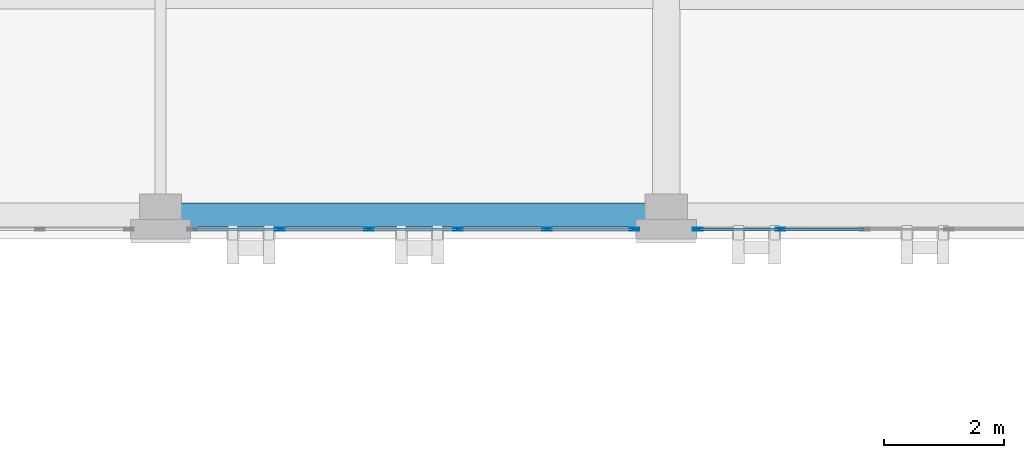
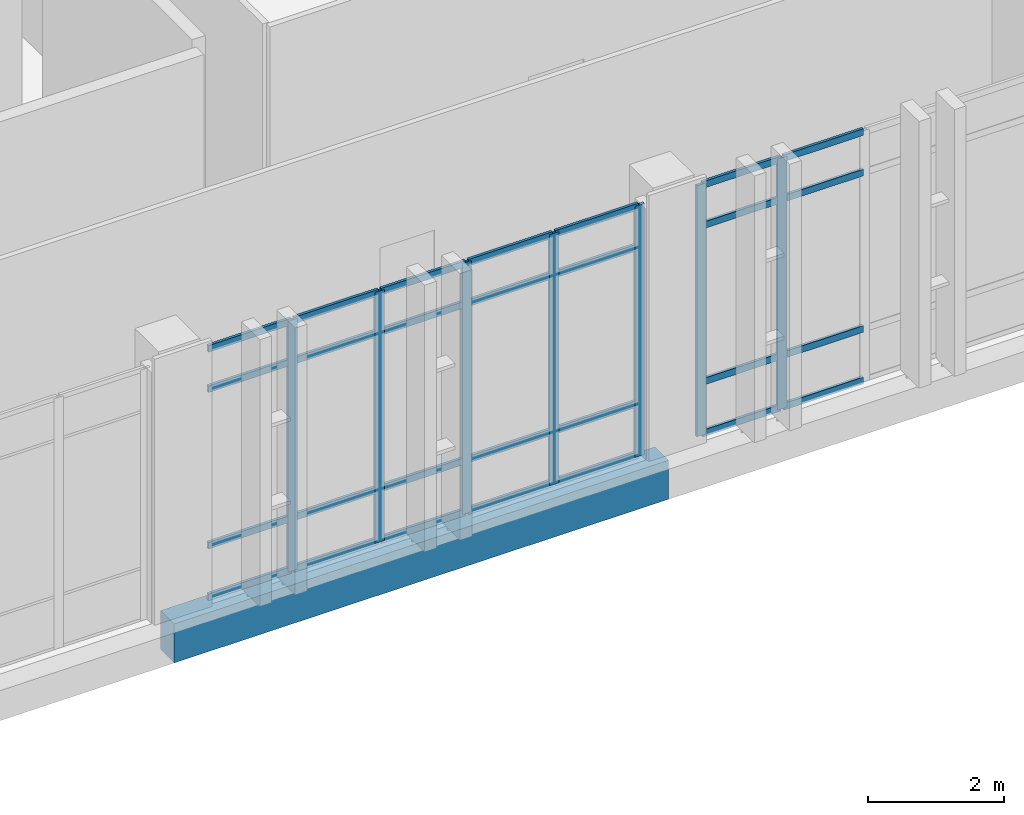
# One storey, part 82 of 189: 35 members, 1 beam, 2 elements without a shape of their own.
"""IFC4 building model written with IfcOpenShell, lengths in metres."""

import ifcopenshell
import ifcopenshell.guid

model = None  # the IFC model being written
_history = None  # IfcOwnerHistory: only IFC2X3 demands one
_inside = {}  # id of a spatial element -> (the spatial element, [elements in it])
_under = {}  # id of a project, library or spatial element -> (it, [spatial elements below it])
_declared = {}  # id of a project -> (the project, [libraries it declares])
_typed = {}  # id of a type object -> (the type object, [elements of that type])
_made_of = {}  # id of a material, layer set ... -> (it, [elements and type objects made of it])


def new_model(schema):
    """Start an empty IFC model of exactly this schema.

    Asked for "IFC4X3", IfcOpenShell would pick the latest addendum, in which some entities
    have other attributes; the version numbers below select the first issue.
    IFC2X3 requires an IfcOwnerHistory on every rooted entity: one is made here for all.
    """
    global model, _history
    if schema == "IFC4X3":
        model = ifcopenshell.file(schema_version=(4, 3, 0, 0))
    else:
        model = ifcopenshell.file(schema=schema)
    _inside.clear()
    _under.clear()
    _declared.clear()
    _typed.clear()
    _made_of.clear()
    _history = None
    if model.schema == "IFC2X3":
        org = make("IfcOrganization", Name="unknown")
        user = make(
            "IfcPersonAndOrganization",
            ThePerson=make("IfcPerson", FamilyName="unknown"),
            TheOrganization=org,
        )
        app = make(
            "IfcApplication",
            ApplicationDeveloper=org,
            Version="unknown",
            ApplicationFullName="unknown",
            ApplicationIdentifier="unknown",
        )
        _history = make(
            "IfcOwnerHistory",
            OwningUser=user,
            OwningApplication=app,
            ChangeAction="ADDED",
            CreationDate=0,
        )
    return model


def make(cls, **values):
    """One entity of the class cls with the attributes given. An attribute that is None is left unset."""
    return model.create_entity(
        cls, **{name: value for name, value in values.items() if value is not None}
    )


def rooted(cls, **values):
    """An entity with a GlobalId (a new one), such as an element, a storey or a relation."""
    return make(cls, GlobalId=ifcopenshell.guid.new(), OwnerHistory=_history, **values)


def si_unit(unit_type, name, prefix=None):
    """IfcSIUnit, for example si_unit("LENGTHUNIT", "METRE", prefix="MILLI")."""
    return make("IfcSIUnit", UnitType=unit_type, Prefix=prefix, Name=name)


def assignment(units):
    """IfcUnitAssignment: the units of a project."""
    return None if units is None else make("IfcUnitAssignment", Units=units)


def point(xyz):
    """IfcCartesianPoint."""
    return None if xyz is None else make("IfcCartesianPoint", Coordinates=xyz)


def direction(xyz):
    """IfcDirection."""
    return None if xyz is None else make("IfcDirection", DirectionRatios=xyz)


def frame(location, z_axis=None, x_axis=None):
    """IfcAxis2Placement3D, a coordinate frame: its origin and axes. An axis left out is left unset."""
    return make(
        "IfcAxis2Placement3D",
        Location=point(location),
        Axis=direction(z_axis),
        RefDirection=direction(x_axis),
    )


def frame_2d(location, x_axis=None):
    """IfcAxis2Placement2D, a coordinate frame in the plane: its origin and x axis."""
    return make(
        "IfcAxis2Placement2D", Location=point(location), RefDirection=direction(x_axis)
    )


def origin():
    """The frame at (0, 0, 0) with its axes left unset."""
    return frame((0.0, 0.0, 0.0))


def origin_2d():
    """The frame at (0, 0) in the plane with its x axis left unset."""
    return frame_2d((0.0, 0.0))


def place(relative_to, where):
    """IfcLocalPlacement: puts the frame where relative to a parent placement (None: the world)."""
    return make(
        "IfcLocalPlacement", PlacementRelTo=relative_to, RelativePlacement=where
    )


def context(
    kind, dimensions, precision=None, world=None, true_north=None, identifier=None
):
    """IfcGeometricRepresentationContext, for example the 3D "Model" context."""
    return make(
        "IfcGeometricRepresentationContext",
        ContextIdentifier=identifier,
        ContextType=kind,
        CoordinateSpaceDimension=dimensions,
        Precision=precision,
        WorldCoordinateSystem=world,
        TrueNorth=true_north,
    )


def subcontext(parent, identifier, kind, view, scale=None):
    """IfcGeometricRepresentationSubContext, for example "Body" below "Model"."""
    return make(
        "IfcGeometricRepresentationSubContext",
        ContextIdentifier=identifier,
        ContextType=kind,
        ParentContext=parent,
        TargetScale=scale,
        TargetView=view,
    )


def project(units=None, contexts=None):
    """IfcProject with its units and contexts."""
    return rooted(
        "IfcProject",
        Name="project",
        RepresentationContexts=contexts,
        UnitsInContext=assignment(units),
    )


def spatial(cls, under=None, at=None, **own):
    """A site, building, storey or space (cls), placed at a placement, below another one or the project."""
    s = rooted(cls, ObjectPlacement=at, **own)
    if under is not None:
        _under.setdefault(under.id(), (under, []))[1].append(s)
    return s


def profile(cls, at=None, kind="AREA", **sizes):
    """A parametric profile (cls). Its sizes go by their IFC names, for example OverallWidth=200.0."""
    return make(cls, ProfileType=kind, Position=at, **sizes)


def rectangle(**sizes):
    """IfcRectangleProfileDef."""
    return profile("IfcRectangleProfileDef", **sizes)


def hollow_rectangle(**sizes):
    """IfcRectangleHollowProfileDef."""
    return profile("IfcRectangleHollowProfileDef", **sizes)


def extrude(swept, where, along, depth):
    """IfcExtrudedAreaSolid: the profile swept, set in the frame where, extruded along a direction by depth."""
    return make(
        "IfcExtrudedAreaSolid",
        SweptArea=swept,
        Position=where,
        ExtrudedDirection=direction(along),
        Depth=depth,
    )


def shape(context_of_items, identifier, shape_type, items):
    """IfcShapeRepresentation: the items that make up one representation, for example the "Body"."""
    return make(
        "IfcShapeRepresentation",
        ContextOfItems=context_of_items,
        RepresentationIdentifier=identifier,
        RepresentationType=shape_type,
        Items=items,
    )


def material(Name=None, Category=None):
    """IfcMaterial."""
    return make("IfcMaterial", Name=Name, Category=Category)


def layer(
    of_material, thickness, ventilated=None, Name=None, Category=None, Priority=None
):
    """IfcMaterialLayer: one layer of a wall or slab, of a material (None: an air gap)."""
    return make(
        "IfcMaterialLayer",
        Material=of_material,
        LayerThickness=thickness,
        IsVentilated=ventilated,
        Name=Name,
        Category=Category,
        Priority=Priority,
    )


def layer_set(layers, Name=None):
    """IfcMaterialLayerSet."""
    return make("IfcMaterialLayerSet", MaterialLayers=layers, LayerSetName=Name)


def material_profile(
    of_material, cross_section, Name=None, Category=None, Priority=None
):
    """IfcMaterialProfile: a cross section and its material."""
    return make(
        "IfcMaterialProfile",
        Name=Name,
        Material=of_material,
        Profile=cross_section,
        Priority=Priority,
        Category=Category,
    )


def profile_set(profiles, Name=None, composite=None):
    """IfcMaterialProfileSet."""
    return make(
        "IfcMaterialProfileSet",
        Name=Name,
        MaterialProfiles=profiles,
        CompositeProfile=composite,
    )


def made_of(thing, what):
    """Note that an element or type object is made of a material, layer set ...; save() writes the relation."""
    if what is not None:
        _made_of.setdefault(what.id(), (what, []))[1].append(thing)
    return thing


def type_object(cls, material=None, **own):
    """A type object (cls), such as IfcWallType, which elements share."""
    return made_of(rooted(cls, **own), material)


def element(
    cls,
    number,
    at=None,
    inside=None,
    cuts=None,
    type_object=None,
    material=None,
    context=None,
    identifier="Body",
    shape_type=None,
    held_by="IfcProductDefinitionShape",
    body=None,
    shapes=None,
    **own,
):
    """One element of the class cls, such as IfcWall. Its Tag is "e" and its number.

    at: its placement. inside: the storey or other place that contains it. cuts: it is an
    opening in that element (IfcRelVoidsElement). A single representation is given by context,
    identifier, shape_type and body (its items); several are given by shapes. held_by: the class
    of the entity that holds the representations. save() writes the other relations.
    """
    e = rooted(cls, Tag="e%d" % number, ObjectPlacement=at, **own)
    if body is not None:
        shapes = [shape(context, identifier, shape_type, body)]
    if shapes is not None:
        e.Representation = make(held_by, Representations=shapes)
    if inside is not None:
        _inside.setdefault(inside.id(), (inside, []))[1].append(e)
    if cuts is not None:
        rooted(
            "IfcRelVoidsElement", RelatingBuildingElement=cuts, RelatedOpeningElement=e
        )
    if type_object is not None:
        _typed.setdefault(type_object.id(), (type_object, []))[1].append(e)
    return made_of(e, material)


def aggregate(whole, parts):
    """IfcRelAggregates: a whole, such as a stair, and the parts it consists of."""
    return rooted("IfcRelAggregates", RelatingObject=whole, RelatedObjects=parts)


def save(model, path):
    """Write the relations noted so far, then the file.

    IfcRelAggregates (storeys below a building ...), IfcRelContainedInSpatialStructure (elements
    in a storey), IfcRelDefinesByType, IfcRelAssociatesMaterial and IfcRelDeclares: one each for
    every whole, place, type object, material and project.
    """
    for whole, parts in _under.values():
        aggregate(whole, parts)
    for where, things in _inside.values():
        rooted(
            "IfcRelContainedInSpatialStructure",
            RelatedElements=things,
            RelatingStructure=where,
        )
    for kind, things in _typed.values():
        rooted("IfcRelDefinesByType", RelatedObjects=things, RelatingType=kind)
    for what, things in _made_of.values():
        rooted("IfcRelAssociatesMaterial", RelatedObjects=things, RelatingMaterial=what)
    for by, libraries in _declared.values():
        rooted("IfcRelDeclares", RelatingContext=by, RelatedDefinitions=libraries)
    model.write(path)


model = new_model("IFC4")

# Units and contexts
model_context = context("Model", 3, precision=1e-05, world=origin(), true_north=direction((0.0, 1.0)))
body_context = subcontext(model_context, "Body", "Model", "MODEL_VIEW")
ifc_project = project(units=[si_unit("LENGTHUNIT", "METRE"), si_unit("AREAUNIT", "SQUARE_METRE"), si_unit("VOLUMEUNIT", "CUBIC_METRE"), si_unit("PLANEANGLEUNIT", "RADIAN"), si_unit("MASSUNIT", "GRAM", prefix="KILO")], contexts=[model_context])

# Site, building, storey
site_placement = place(None, origin())
site = spatial("IfcSite", under=ifc_project, at=site_placement, CompositionType="ELEMENT")
building_placement = place(site_placement, origin())
building = spatial("IfcBuilding", under=site, at=building_placement, Name="Qalavern Law Courts", CompositionType="ELEMENT")
storey_placement = place(building_placement, frame((0.0, 0.0, 5.39990234375)))
storey = spatial("IfcBuildingStorey", under=building, at=storey_placement, Name="L01", CompositionType="ELEMENT", Elevation=5.39990234375)

# Curtain wall, members
ifc_material_1 = material(Name="Anodised aluminium and insulated glazing", Category="aluminium")
ifc_layer = layer(ifc_material_1, 0.166015625)
ifc_layer_set = layer_set([ifc_layer], Name="Anodised aluminium and insulated glazing")
curtain_wall_type = type_object("IfcCurtainWallType", Name="ENV-CW-LIB", PredefinedType="USERDEFINED", material=ifc_layer_set)
curtain_wall_1_placement = place(storey_placement, origin())
curtain_wall_1 = element("IfcCurtainWall", 1, at=curtain_wall_1_placement, inside=storey, type_object=curtain_wall_type, Name="V5 unitised curtain wall L01 south 2", ObjectType="UNITISED CURTAIN WALL", PredefinedType="USERDEFINED")
ifc_material_2 = material(Name="Anodised aluminium", Category="aluminium")
ifc_material_profile_1 = material_profile(ifc_material_2, hollow_rectangle(XDim=0.048095703125, YDim=0.159912109375, WallThickness=0.00390625, at=origin_2d()), Name="ALU MULLION 48x160")
ifc_profile_set_1 = profile_set([ifc_material_profile_1], Name="Anodised aluminium")
member_type_1 = type_object("IfcMemberType", Name="ENV-CWM-48x160", PredefinedType="MULLION", material=ifc_profile_set_1)
member_1_placement = place(storey_placement, frame((30.3798828125, 96.362548828125, 0.0), z_axis=(0.0, 0.0, 1.0), x_axis=(0.0, 1.0, 0.0)))
member_1 = element("IfcMember", 2, at=member_1_placement, type_object=member_type_1, Name="CW-05 mullion 2", PredefinedType="MULLION", context=body_context, shape_type="SweptSolid", body=[
    extrude(hollow_rectangle(XDim=0.048095703125, YDim=0.159912109375, WallThickness=0.00390625, at=origin_2d()), origin(), (0.0, 0.0, 1.0), 4.510009765625),
])
member_2_placement = place(storey_placement, frame((31.860107421875, 96.362548828125, 0.0), z_axis=(0.0, 0.0, 1.0), x_axis=(0.0, 1.0, 0.0)))
member_2 = element("IfcMember", 3, at=member_2_placement, type_object=member_type_1, Name="CW-05 mullion 3", PredefinedType="MULLION", context=body_context, shape_type="SweptSolid", body=[
    extrude(hollow_rectangle(XDim=0.048095703125, YDim=0.159912109375, WallThickness=0.00390625, at=origin_2d()), origin(), (0.0, 0.0, 1.0), 4.510009765625),
])
member_3_placement = place(storey_placement, frame((33.340087890625, 96.362548828125, 0.0), z_axis=(0.0, 0.0, 1.0), x_axis=(0.0, 1.0, 0.0)))
member_3 = element("IfcMember", 4, at=member_3_placement, type_object=member_type_1, Name="CW-05 mullion 4", PredefinedType="MULLION", context=body_context, shape_type="SweptSolid", body=[
    extrude(hollow_rectangle(XDim=0.048095703125, YDim=0.159912109375, WallThickness=0.00390625, at=origin_2d()), origin(), (0.0, 0.0, 1.0), 4.510009765625),
])
member_4_placement = place(storey_placement, frame((34.820068359375, 96.362548828125, 0.0), z_axis=(0.0, 0.0, 1.0), x_axis=(0.0, 1.0, 0.0)))
member_4 = element("IfcMember", 5, at=member_4_placement, type_object=member_type_1, Name="CW-05 mullion 5", PredefinedType="MULLION", context=body_context, shape_type="SweptSolid", body=[
    extrude(hollow_rectangle(XDim=0.048095703125, YDim=0.159912109375, WallThickness=0.00390625, at=origin_2d()), origin(), (0.0, 0.0, 1.0), 4.510009765625),
])
member_5_placement = place(storey_placement, frame((36.27587890625, 96.362548828125, 0.0), z_axis=(0.0, 0.0, 1.0), x_axis=(0.0, 1.0, 0.0)))
member_5 = element("IfcMember", 6, at=member_5_placement, type_object=member_type_1, Name="CW-05 mullion 6", PredefinedType="MULLION", context=body_context, shape_type="SweptSolid", body=[
    extrude(hollow_rectangle(XDim=0.048095703125, YDim=0.159912109375, WallThickness=0.00390625, at=origin_2d()), origin(), (0.0, 0.0, 1.0), 4.510009765625),
])

curtain_wall_2_placement = place(storey_placement, origin())
curtain_wall_2 = element("IfcCurtainWall", 7, at=curtain_wall_2_placement, inside=storey, type_object=curtain_wall_type, Name="V5 unitised curtain wall L01 south 3", ObjectType="UNITISED CURTAIN WALL", PredefinedType="USERDEFINED")
member_6_placement = place(storey_placement, frame((37.323974609375, 96.362548828125, 0.0), z_axis=(0.0, 0.0, 1.0), x_axis=(0.0, 1.0, 0.0)))
member_6 = element("IfcMember", 8, at=member_6_placement, type_object=member_type_1, Name="CW-05 mullion 1", PredefinedType="MULLION", context=body_context, shape_type="SweptSolid", body=[
    extrude(hollow_rectangle(XDim=0.048095703125, YDim=0.159912109375, WallThickness=0.00390625, at=origin_2d()), origin(), (0.0, 0.0, 1.0), 4.510009765625),
])
member_7_placement = place(storey_placement, frame((38.699951171875, 96.362548828125, 0.0), z_axis=(0.0, 0.0, 1.0), x_axis=(0.0, 1.0, 0.0)))
member_7 = element("IfcMember", 9, at=member_7_placement, type_object=member_type_1, Name="CW-05 mullion 2", PredefinedType="MULLION", context=body_context, shape_type="SweptSolid", body=[
    extrude(hollow_rectangle(XDim=0.048095703125, YDim=0.159912109375, WallThickness=0.00390625, at=origin_2d()), origin(), (0.0, 0.0, 1.0), 4.510009765625),
])

# Member
ifc_material_profile_2 = material_profile(ifc_material_2, hollow_rectangle(XDim=0.048095703125, YDim=0.1201171875, WallThickness=0.00390625, at=origin_2d()), Name="ALU TRANSOM 48x120")
ifc_profile_set_2 = profile_set([ifc_material_profile_2], Name="Anodised aluminium")
member_type_2 = type_object("IfcMemberType", Name="ENV-CWT-48x120", PredefinedType="USERDEFINED", material=ifc_profile_set_2)
member_8_placement = place(storey_placement, frame((28.947998046875, 96.362548828125, 0.024169921875), z_axis=(1.0, 0.0, 0.0), x_axis=(0.0, 1.0, 0.0)))
member_8 = element("IfcMember", 10, at=member_8_placement, type_object=member_type_2, Name="CW-05 transom 1.1", ObjectType="TRANSOM", PredefinedType="USERDEFINED", context=body_context, shape_type="SweptSolid", body=[
    extrude(hollow_rectangle(XDim=0.048095703125, YDim=0.1201171875, WallThickness=0.00390625, at=origin_2d()), origin(), (0.0, 0.0, 1.0), 1.407958984375),
])

member_9_placement = place(storey_placement, frame((28.947998046875, 96.362548828125, 0.9501953125), z_axis=(1.0, 0.0, 0.0), x_axis=(0.0, 1.0, 0.0)))
member_9 = element("IfcMember", 11, at=member_9_placement, type_object=member_type_2, Name="CW-05 transom 1.2", ObjectType="TRANSOM", PredefinedType="USERDEFINED", context=body_context, shape_type="SweptSolid", body=[
    extrude(hollow_rectangle(XDim=0.048095703125, YDim=0.1201171875, WallThickness=0.00390625, at=origin_2d()), origin(), (0.0, 0.0, 1.0), 1.407958984375),
])

member_10_placement = place(storey_placement, frame((28.947998046875, 96.362548828125, 3.760009765625), z_axis=(1.0, 0.0, 0.0), x_axis=(0.0, 1.0, 0.0)))
member_10 = element("IfcMember", 12, at=member_10_placement, type_object=member_type_2, Name="CW-05 transom 1.3", ObjectType="TRANSOM", PredefinedType="USERDEFINED", context=body_context, shape_type="SweptSolid", body=[
    extrude(hollow_rectangle(XDim=0.048095703125, YDim=0.1201171875, WallThickness=0.00390625, at=origin_2d()), origin(), (0.0, 0.0, 1.0), 1.407958984375),
])

member_11_placement = place(storey_placement, frame((28.947998046875, 96.362548828125, 4.486083984375), z_axis=(1.0, 0.0, 0.0), x_axis=(0.0, 1.0, 0.0)))
member_11 = element("IfcMember", 13, at=member_11_placement, type_object=member_type_2, Name="CW-05 transom 1.4", ObjectType="TRANSOM", PredefinedType="USERDEFINED", context=body_context, shape_type="SweptSolid", body=[
    extrude(hollow_rectangle(XDim=0.048095703125, YDim=0.1201171875, WallThickness=0.00390625, at=origin_2d()), origin(), (0.0, 0.0, 1.0), 1.407958984375),
])

member_12_placement = place(storey_placement, frame((30.404052734375, 96.362548828125, 0.024169921875), z_axis=(1.0, 0.0, 0.0), x_axis=(0.0, 1.0, 0.0)))
member_12 = element("IfcMember", 14, at=member_12_placement, type_object=member_type_2, Name="CW-05 transom 2.1", ObjectType="TRANSOM", PredefinedType="USERDEFINED", context=body_context, shape_type="SweptSolid", body=[
    extrude(hollow_rectangle(XDim=0.048095703125, YDim=0.1201171875, WallThickness=0.00390625, at=origin_2d()), origin(), (0.0, 0.0, 1.0), 1.431884765625),
])

member_13_placement = place(storey_placement, frame((30.404052734375, 96.362548828125, 0.9501953125), z_axis=(1.0, 0.0, 0.0), x_axis=(0.0, 1.0, 0.0)))
member_13 = element("IfcMember", 15, at=member_13_placement, type_object=member_type_2, Name="CW-05 transom 2.2", ObjectType="TRANSOM", PredefinedType="USERDEFINED", context=body_context, shape_type="SweptSolid", body=[
    extrude(hollow_rectangle(XDim=0.048095703125, YDim=0.1201171875, WallThickness=0.00390625, at=origin_2d()), origin(), (0.0, 0.0, 1.0), 1.431884765625),
])

member_14_placement = place(storey_placement, frame((30.404052734375, 96.362548828125, 3.760009765625), z_axis=(1.0, 0.0, 0.0), x_axis=(0.0, 1.0, 0.0)))
member_14 = element("IfcMember", 16, at=member_14_placement, type_object=member_type_2, Name="CW-05 transom 2.3", ObjectType="TRANSOM", PredefinedType="USERDEFINED", context=body_context, shape_type="SweptSolid", body=[
    extrude(hollow_rectangle(XDim=0.048095703125, YDim=0.1201171875, WallThickness=0.00390625, at=origin_2d()), origin(), (0.0, 0.0, 1.0), 1.431884765625),
])

member_15_placement = place(storey_placement, frame((30.404052734375, 96.362548828125, 4.486083984375), z_axis=(1.0, 0.0, 0.0), x_axis=(0.0, 1.0, 0.0)))
member_15 = element("IfcMember", 17, at=member_15_placement, type_object=member_type_2, Name="CW-05 transom 2.4", ObjectType="TRANSOM", PredefinedType="USERDEFINED", context=body_context, shape_type="SweptSolid", body=[
    extrude(hollow_rectangle(XDim=0.048095703125, YDim=0.1201171875, WallThickness=0.00390625, at=origin_2d()), origin(), (0.0, 0.0, 1.0), 1.431884765625),
])

member_16_placement = place(storey_placement, frame((31.884033203125, 96.362548828125, 0.024169921875), z_axis=(1.0, 0.0, 0.0), x_axis=(0.0, 1.0, 0.0)))
member_16 = element("IfcMember", 18, at=member_16_placement, type_object=member_type_2, Name="CW-05 transom 3.1", ObjectType="TRANSOM", PredefinedType="USERDEFINED", context=body_context, shape_type="SweptSolid", body=[
    extrude(hollow_rectangle(XDim=0.048095703125, YDim=0.1201171875, WallThickness=0.00390625, at=origin_2d()), origin(), (0.0, 0.0, 1.0), 1.431884765625),
])

member_17_placement = place(storey_placement, frame((31.884033203125, 96.362548828125, 0.9501953125), z_axis=(1.0, 0.0, 0.0), x_axis=(0.0, 1.0, 0.0)))
member_17 = element("IfcMember", 19, at=member_17_placement, type_object=member_type_2, Name="CW-05 transom 3.2", ObjectType="TRANSOM", PredefinedType="USERDEFINED", context=body_context, shape_type="SweptSolid", body=[
    extrude(hollow_rectangle(XDim=0.048095703125, YDim=0.1201171875, WallThickness=0.00390625, at=origin_2d()), origin(), (0.0, 0.0, 1.0), 1.431884765625),
])

member_18_placement = place(storey_placement, frame((31.884033203125, 96.362548828125, 3.760009765625), z_axis=(1.0, 0.0, 0.0), x_axis=(0.0, 1.0, 0.0)))
member_18 = element("IfcMember", 20, at=member_18_placement, type_object=member_type_2, Name="CW-05 transom 3.3", ObjectType="TRANSOM", PredefinedType="USERDEFINED", context=body_context, shape_type="SweptSolid", body=[
    extrude(hollow_rectangle(XDim=0.048095703125, YDim=0.1201171875, WallThickness=0.00390625, at=origin_2d()), origin(), (0.0, 0.0, 1.0), 1.431884765625),
])

member_19_placement = place(storey_placement, frame((31.884033203125, 96.362548828125, 4.486083984375), z_axis=(1.0, 0.0, 0.0), x_axis=(0.0, 1.0, 0.0)))
member_19 = element("IfcMember", 21, at=member_19_placement, type_object=member_type_2, Name="CW-05 transom 3.4", ObjectType="TRANSOM", PredefinedType="USERDEFINED", context=body_context, shape_type="SweptSolid", body=[
    extrude(hollow_rectangle(XDim=0.048095703125, YDim=0.1201171875, WallThickness=0.00390625, at=origin_2d()), origin(), (0.0, 0.0, 1.0), 1.431884765625),
])

member_20_placement = place(storey_placement, frame((33.364013671875, 96.362548828125, 0.024169921875), z_axis=(1.0, 0.0, 0.0), x_axis=(0.0, 1.0, 0.0)))
member_20 = element("IfcMember", 22, at=member_20_placement, type_object=member_type_2, Name="CW-05 transom 4.1", ObjectType="TRANSOM", PredefinedType="USERDEFINED", context=body_context, shape_type="SweptSolid", body=[
    extrude(hollow_rectangle(XDim=0.048095703125, YDim=0.1201171875, WallThickness=0.00390625, at=origin_2d()), origin(), (0.0, 0.0, 1.0), 1.431884765625),
])

member_21_placement = place(storey_placement, frame((33.364013671875, 96.362548828125, 0.9501953125), z_axis=(1.0, 0.0, 0.0), x_axis=(0.0, 1.0, 0.0)))
member_21 = element("IfcMember", 23, at=member_21_placement, type_object=member_type_2, Name="CW-05 transom 4.2", ObjectType="TRANSOM", PredefinedType="USERDEFINED", context=body_context, shape_type="SweptSolid", body=[
    extrude(hollow_rectangle(XDim=0.048095703125, YDim=0.1201171875, WallThickness=0.00390625, at=origin_2d()), origin(), (0.0, 0.0, 1.0), 1.431884765625),
])

member_22_placement = place(storey_placement, frame((33.364013671875, 96.362548828125, 3.760009765625), z_axis=(1.0, 0.0, 0.0), x_axis=(0.0, 1.0, 0.0)))
member_22 = element("IfcMember", 24, at=member_22_placement, type_object=member_type_2, Name="CW-05 transom 4.3", ObjectType="TRANSOM", PredefinedType="USERDEFINED", context=body_context, shape_type="SweptSolid", body=[
    extrude(hollow_rectangle(XDim=0.048095703125, YDim=0.1201171875, WallThickness=0.00390625, at=origin_2d()), origin(), (0.0, 0.0, 1.0), 1.431884765625),
])

member_23_placement = place(storey_placement, frame((33.364013671875, 96.362548828125, 4.486083984375), z_axis=(1.0, 0.0, 0.0), x_axis=(0.0, 1.0, 0.0)))
member_23 = element("IfcMember", 25, at=member_23_placement, type_object=member_type_2, Name="CW-05 transom 4.4", ObjectType="TRANSOM", PredefinedType="USERDEFINED", context=body_context, shape_type="SweptSolid", body=[
    extrude(hollow_rectangle(XDim=0.048095703125, YDim=0.1201171875, WallThickness=0.00390625, at=origin_2d()), origin(), (0.0, 0.0, 1.0), 1.431884765625),
])

member_24_placement = place(storey_placement, frame((34.843994140625, 96.362548828125, 0.024169921875), z_axis=(1.0, 0.0, 0.0), x_axis=(0.0, 1.0, 0.0)))
member_24 = element("IfcMember", 26, at=member_24_placement, type_object=member_type_2, Name="CW-05 transom 5.1", ObjectType="TRANSOM", PredefinedType="USERDEFINED", context=body_context, shape_type="SweptSolid", body=[
    extrude(hollow_rectangle(XDim=0.048095703125, YDim=0.1201171875, WallThickness=0.00390625, at=origin_2d()), origin(), (0.0, 0.0, 1.0), 1.407958984375),
])

member_25_placement = place(storey_placement, frame((34.843994140625, 96.362548828125, 0.9501953125), z_axis=(1.0, 0.0, 0.0), x_axis=(0.0, 1.0, 0.0)))
member_25 = element("IfcMember", 27, at=member_25_placement, type_object=member_type_2, Name="CW-05 transom 5.2", ObjectType="TRANSOM", PredefinedType="USERDEFINED", context=body_context, shape_type="SweptSolid", body=[
    extrude(hollow_rectangle(XDim=0.048095703125, YDim=0.1201171875, WallThickness=0.00390625, at=origin_2d()), origin(), (0.0, 0.0, 1.0), 1.407958984375),
])

member_26_placement = place(storey_placement, frame((34.843994140625, 96.362548828125, 3.760009765625), z_axis=(1.0, 0.0, 0.0), x_axis=(0.0, 1.0, 0.0)))
member_26 = element("IfcMember", 28, at=member_26_placement, type_object=member_type_2, Name="CW-05 transom 5.3", ObjectType="TRANSOM", PredefinedType="USERDEFINED", context=body_context, shape_type="SweptSolid", body=[
    extrude(hollow_rectangle(XDim=0.048095703125, YDim=0.1201171875, WallThickness=0.00390625, at=origin_2d()), origin(), (0.0, 0.0, 1.0), 1.407958984375),
])

member_27_placement = place(storey_placement, frame((34.843994140625, 96.362548828125, 4.486083984375), z_axis=(1.0, 0.0, 0.0), x_axis=(0.0, 1.0, 0.0)))
member_27 = element("IfcMember", 29, at=member_27_placement, type_object=member_type_2, Name="CW-05 transom 5.4", ObjectType="TRANSOM", PredefinedType="USERDEFINED", context=body_context, shape_type="SweptSolid", body=[
    extrude(hollow_rectangle(XDim=0.048095703125, YDim=0.1201171875, WallThickness=0.00390625, at=origin_2d()), origin(), (0.0, 0.0, 1.0), 1.407958984375),
])

aggregate(curtain_wall_1, [member_1, member_2, member_3, member_4, member_5, member_8, member_9, member_10, member_11, member_12, member_13, member_14, member_15, member_16, member_17, member_18, member_19, member_20, member_21, member_22, member_23, member_24, member_25, member_26, member_27])

member_28_placement = place(storey_placement, frame((37.347900390625, 96.362548828125, 0.024169921875), z_axis=(1.0, 0.0, 0.0), x_axis=(0.0, 1.0, 0.0)))
member_28 = element("IfcMember", 30, at=member_28_placement, type_object=member_type_2, Name="CW-05 transom 1.1", ObjectType="TRANSOM", PredefinedType="USERDEFINED", context=body_context, shape_type="SweptSolid", body=[
    extrude(hollow_rectangle(XDim=0.048095703125, YDim=0.1201171875, WallThickness=0.00390625, at=origin_2d()), origin(), (0.0, 0.0, 1.0), 1.328125),
])

member_29_placement = place(storey_placement, frame((37.347900390625, 96.362548828125, 0.9501953125), z_axis=(1.0, 0.0, 0.0), x_axis=(0.0, 1.0, 0.0)))
member_29 = element("IfcMember", 31, at=member_29_placement, type_object=member_type_2, Name="CW-05 transom 1.2", ObjectType="TRANSOM", PredefinedType="USERDEFINED", context=body_context, shape_type="SweptSolid", body=[
    extrude(hollow_rectangle(XDim=0.048095703125, YDim=0.1201171875, WallThickness=0.00390625, at=origin_2d()), origin(), (0.0, 0.0, 1.0), 1.328125),
])

member_30_placement = place(storey_placement, frame((37.347900390625, 96.362548828125, 3.760009765625), z_axis=(1.0, 0.0, 0.0), x_axis=(0.0, 1.0, 0.0)))
member_30 = element("IfcMember", 32, at=member_30_placement, type_object=member_type_2, Name="CW-05 transom 1.3", ObjectType="TRANSOM", PredefinedType="USERDEFINED", context=body_context, shape_type="SweptSolid", body=[
    extrude(hollow_rectangle(XDim=0.048095703125, YDim=0.1201171875, WallThickness=0.00390625, at=origin_2d()), origin(), (0.0, 0.0, 1.0), 1.328125),
])

member_31_placement = place(storey_placement, frame((37.347900390625, 96.362548828125, 4.486083984375), z_axis=(1.0, 0.0, 0.0), x_axis=(0.0, 1.0, 0.0)))
member_31 = element("IfcMember", 33, at=member_31_placement, type_object=member_type_2, Name="CW-05 transom 1.4", ObjectType="TRANSOM", PredefinedType="USERDEFINED", context=body_context, shape_type="SweptSolid", body=[
    extrude(hollow_rectangle(XDim=0.048095703125, YDim=0.1201171875, WallThickness=0.00390625, at=origin_2d()), origin(), (0.0, 0.0, 1.0), 1.328125),
])

member_32_placement = place(storey_placement, frame((38.72412109375, 96.362548828125, 0.024169921875), z_axis=(1.0, 0.0, 0.0), x_axis=(0.0, 1.0, 0.0)))
member_32 = element("IfcMember", 34, at=member_32_placement, type_object=member_type_2, Name="CW-05 transom 2.1", ObjectType="TRANSOM", PredefinedType="USERDEFINED", context=body_context, shape_type="SweptSolid", body=[
    extrude(hollow_rectangle(XDim=0.048095703125, YDim=0.1201171875, WallThickness=0.00390625, at=origin_2d()), origin(), (0.0, 0.0, 1.0), 1.351806640625),
])

member_33_placement = place(storey_placement, frame((38.72412109375, 96.362548828125, 0.9501953125), z_axis=(1.0, 0.0, 0.0), x_axis=(0.0, 1.0, 0.0)))
member_33 = element("IfcMember", 35, at=member_33_placement, type_object=member_type_2, Name="CW-05 transom 2.2", ObjectType="TRANSOM", PredefinedType="USERDEFINED", context=body_context, shape_type="SweptSolid", body=[
    extrude(hollow_rectangle(XDim=0.048095703125, YDim=0.1201171875, WallThickness=0.00390625, at=origin_2d()), origin(), (0.0, 0.0, 1.0), 1.351806640625),
])

member_34_placement = place(storey_placement, frame((38.72412109375, 96.362548828125, 3.760009765625), z_axis=(1.0, 0.0, 0.0), x_axis=(0.0, 1.0, 0.0)))
member_34 = element("IfcMember", 36, at=member_34_placement, type_object=member_type_2, Name="CW-05 transom 2.3", ObjectType="TRANSOM", PredefinedType="USERDEFINED", context=body_context, shape_type="SweptSolid", body=[
    extrude(hollow_rectangle(XDim=0.048095703125, YDim=0.1201171875, WallThickness=0.00390625, at=origin_2d()), origin(), (0.0, 0.0, 1.0), 1.351806640625),
])

member_35_placement = place(storey_placement, frame((38.72412109375, 96.362548828125, 4.486083984375), z_axis=(1.0, 0.0, 0.0), x_axis=(0.0, 1.0, 0.0)))
member_35 = element("IfcMember", 37, at=member_35_placement, type_object=member_type_2, Name="CW-05 transom 2.4", ObjectType="TRANSOM", PredefinedType="USERDEFINED", context=body_context, shape_type="SweptSolid", body=[
    extrude(hollow_rectangle(XDim=0.048095703125, YDim=0.1201171875, WallThickness=0.00390625, at=origin_2d()), origin(), (0.0, 0.0, 1.0), 1.351806640625),
])

aggregate(curtain_wall_2, [member_6, member_7, member_28, member_29, member_30, member_31, member_32, member_33, member_34, member_35])

# Beam
ifc_material_3 = material(Name="Concrete C40/50", Category="concrete")
ifc_material_profile_3 = material_profile(ifc_material_3, rectangle(XDim=0.39990234375, YDim=0.699951171875, at=origin_2d()), Name="RC 400x700")
ifc_profile_set_3 = profile_set([ifc_material_profile_3], Name="Concrete C40/50")
beam_type = type_object("IfcBeamType", Name="STR-SP-RC400x700", PredefinedType="SPANDREL", material=ifc_profile_set_3)
beam_placement = place(storey_placement, frame((28.39990234375, 96.60009765625, -0.64990234375), z_axis=(1.0, 0.0, 0.0), x_axis=(0.0, 1.0, 0.0)))
element("IfcBeam", 38, at=beam_placement, inside=storey, type_object=beam_type, Name="V5 X-beam 1-4 L01", PredefinedType="SPANDREL", context=body_context, shape_type="SweptSolid", body=[
    extrude(rectangle(XDim=0.39990234375, YDim=0.699951171875, at=origin_2d()), origin(), (0.0, 0.0, 1.0), 8.400146484375),
])

save(model, "model.ifc")
